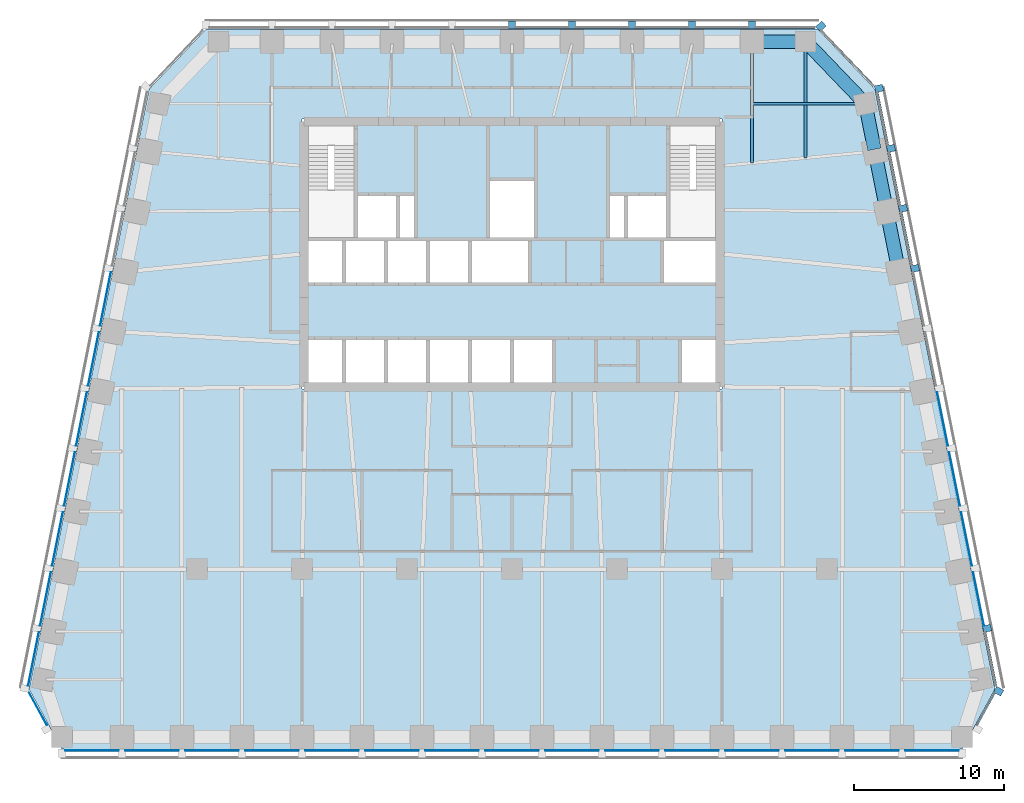
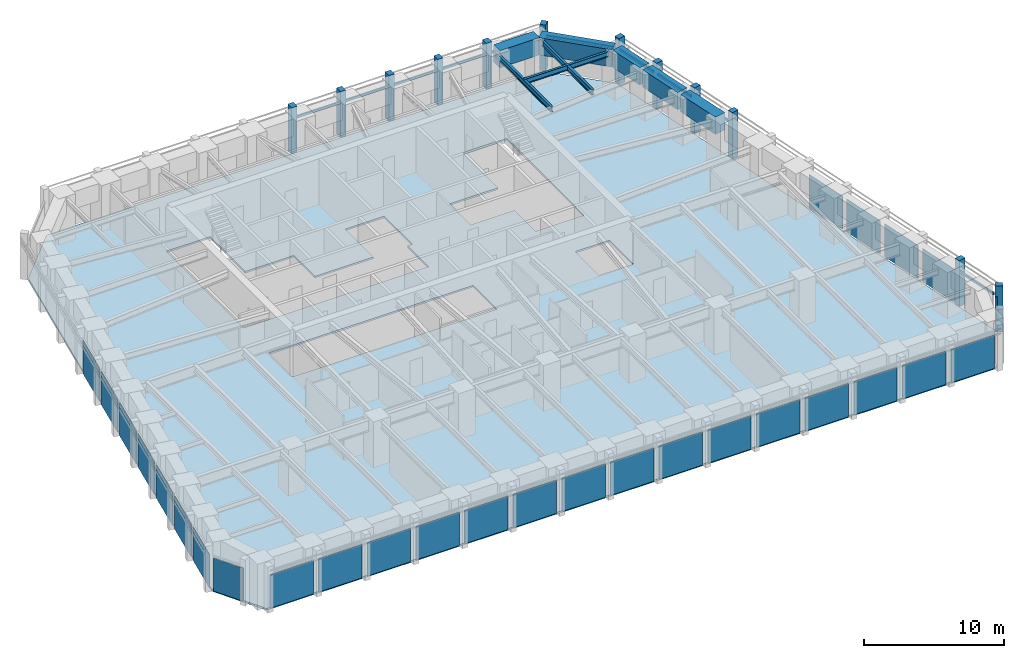
# One storey, part 4 of 10: 27 plates, 23 members, 8 beams, 1 slab, 7 elements without a shape of their own.
"""IFC4 building model written with IfcOpenShell, lengths in metres."""

from ifc_helpers import new_model, si_unit, direction, frame, origin, origin_2d, place, context, subcontext, project, spatial, polyline, rectangle, i_section, outline, extrude, material, layer, layer_set, material_profile, profile_set, type_object, element, aggregate, save


model = new_model("IFC4")

# Units and contexts
model_context = context("Model", 3, precision=1e-05, world=origin(), true_north=direction((0.0, 1.0)))
body_context = subcontext(model_context, "Body", "Model", "MODEL_VIEW")
ifc_project = project(units=[si_unit("LENGTHUNIT", "METRE"), si_unit("AREAUNIT", "SQUARE_METRE"), si_unit("VOLUMEUNIT", "CUBIC_METRE"), si_unit("PLANEANGLEUNIT", "RADIAN"), si_unit("MASSUNIT", "GRAM", prefix="KILO")], contexts=[model_context])

# Site, building, storey
site_placement = place(None, origin())
site = spatial("IfcSite", under=ifc_project, at=site_placement, CompositionType="ELEMENT")
building_placement = place(site_placement, origin())
building = spatial("IfcBuilding", under=site, at=building_placement, Name="Isbrekke Arena Tower", CompositionType="ELEMENT")
storey_placement = place(building_placement, frame((0.0, 0.0, 182.0)))
storey = spatial("IfcBuildingStorey", under=building, at=storey_placement, Name="L41", CompositionType="ELEMENT", Elevation=182.0)

# Beams
ifc_material_1 = material(Name="Steel S355", Category="steel")
ifc_material_profile_1 = material_profile(ifc_material_1, i_section(OverallWidth=0.18994140625, OverallDepth=0.449951171875, WebThickness=0.009521484375, FlangeThickness=0.0146484375, FilletRadius=0.02099609375, at=origin_2d()), Name="IPE 450")
ifc_profile_set_1 = profile_set([ifc_material_profile_1], Name="Steel S355")
beam_type_1 = type_object("IfcBeamType", Name="B2 IPE 450", PredefinedType="BEAM", material=ifc_profile_set_1)
beam_1_placement = place(storey_placement, frame((23.40283203125, 25.029296875, 3.625), z_axis=(-1.0, 0.0, 0.0), x_axis=(0.0, -1.0, 0.0)))
element("IfcBeam", 1, at=beam_1_placement, inside=storey, type_object=beam_type_1, Name="B2 beam E-E11 L41", PredefinedType="BEAM", context=body_context, shape_type="SweptSolid", body=[
    extrude(i_section(OverallWidth=0.18994140625, OverallDepth=0.449951171875, WebThickness=0.009521484375, FlangeThickness=0.0146484375, FilletRadius=0.02099609375, at=origin_2d()), origin(), (0.0, 0.0, 1.0), 7.40283203125),
])
ifc_material_2 = material(Name="Steel S355", Category="steel")
ifc_material_profile_2 = material_profile(ifc_material_2, i_section(OverallWidth=0.18994140625, OverallDepth=0.449951171875, WebThickness=0.009521484375, FlangeThickness=0.0146484375, FilletRadius=0.02099609375, at=origin_2d()), Name="IPE 450")
ifc_profile_set_2 = profile_set([ifc_material_profile_2], Name="Steel S355")
beam_type_2 = type_object("IfcBeamType", Name="B3 IPE 450", PredefinedType="BEAM", material=ifc_profile_set_2)
beam_2_placement = place(storey_placement, frame((19.574951171875, 29.02490234375, 3.625), z_axis=(0.0, -1.0, 0.0), x_axis=(1.0, 0.0, 0.0)))
element("IfcBeam", 2, at=beam_2_placement, inside=storey, type_object=beam_type_2, Name="B3 beam N-N01 L41", PredefinedType="BEAM", context=body_context, shape_type="SweptSolid", body=[
    extrude(i_section(OverallWidth=0.18994140625, OverallDepth=0.449951171875, WebThickness=0.009521484375, FlangeThickness=0.0146484375, FilletRadius=0.02099609375, at=origin_2d()), origin(), (0.0, 0.0, 1.0), 7.6103515625),
])
beam_3_placement = place(storey_placement, frame((16.0, 29.02490234375, 3.625), z_axis=(0.0, -1.0, 0.0), x_axis=(1.0, 0.0, 0.0)))
element("IfcBeam", 3, at=beam_3_placement, inside=storey, type_object=beam_type_2, Name="B3 beam N-N02 L41", PredefinedType="BEAM", context=body_context, shape_type="SweptSolid", body=[
    extrude(i_section(OverallWidth=0.18994140625, OverallDepth=0.449951171875, WebThickness=0.009521484375, FlangeThickness=0.0146484375, FilletRadius=0.02099609375, at=origin_2d()), origin(), (0.0, 0.0, 1.0), 7.949462890625),
])

# Curtain wall, member
ifc_material_3 = material(Name="Glazed aluminium curtain wall", Category="aluminium")
curtain_wall_type = type_object("IfcCurtainWallType", Name="CWH TOWER CURTAIN WALL HIGH ZONE", PredefinedType="USERDEFINED", material=ifc_material_3)
curtain_wall_1_placement = place(storey_placement, origin())
curtain_wall_1 = element("IfcCurtainWall", 4, at=curtain_wall_1_placement, inside=storey, type_object=curtain_wall_type, Name="CWH curtain wall L41-SE", ObjectType="TOWER CURTAIN WALL HIGH ZONE", PredefinedType="USERDEFINED")
ifc_material_4 = material(Name="Aluminium mullion, pale brick slip cladding", Category="masonry")
ifc_material_profile_3 = material_profile(ifc_material_4, rectangle(XDim=0.449951171875, YDim=0.550048828125, at=origin_2d()), Name="PIER 450X550")
ifc_profile_set_3 = profile_set([ifc_material_profile_3], Name="Aluminium mullion, pale brick slip cladding")
member_type_1 = type_object("IfcMemberType", Name="CWH-M PIER MULLION 450 x 550", PredefinedType="MULLION", material=ifc_profile_set_3)
member_1_placement = place(storey_placement, frame((32.44091796875, -14.132568359375, 0.0), z_axis=(0.0, 0.0, 1.0), x_axis=(0.481918749773, 0.876215908676, 0.0)))
member_1 = element("IfcMember", 5, at=member_1_placement, type_object=member_type_1, Name="CWH-M mullion 2", PredefinedType="MULLION", context=body_context, shape_type="SweptSolid", body=[
    extrude(rectangle(XDim=0.449951171875, YDim=0.550048828125, at=origin_2d()), origin(), (0.0, 0.0, 1.0), 4.0),
])

# Curtain wall, members
curtain_wall_2_placement = place(storey_placement, origin())
curtain_wall_2 = element("IfcCurtainWall", 6, at=curtain_wall_2_placement, inside=storey, type_object=curtain_wall_type, Name="CWH curtain wall L41-E", ObjectType="TOWER CURTAIN WALL HIGH ZONE", PredefinedType="USERDEFINED")
member_2_placement = place(storey_placement, frame((31.669677734375, -9.946044921875, 0.0), z_axis=(0.0, 0.0, 1.0), x_axis=(-0.196116135138, 0.980580675691, 0.0)))
member_2 = element("IfcMember", 7, at=member_2_placement, type_object=member_type_1, Name="CWH-M mullion 1", PredefinedType="MULLION", context=body_context, shape_type="SweptSolid", body=[
    extrude(rectangle(XDim=0.449951171875, YDim=0.550048828125, at=origin_2d()), origin(), (0.0, 0.0, 1.0), 4.0),
])
member_3_placement = place(storey_placement, frame((26.86962890625, 14.053955078125, 0.0), z_axis=(0.0, 0.0, 1.0), x_axis=(-0.196116135138, 0.980580675691, 0.0)))
member_3 = element("IfcMember", 8, at=member_3_placement, type_object=member_type_1, Name="CWH-M mullion 7", PredefinedType="MULLION", context=body_context, shape_type="SweptSolid", body=[
    extrude(rectangle(XDim=0.449951171875, YDim=0.550048828125, at=origin_2d()), origin(), (0.0, 0.0, 1.0), 4.0),
])
member_4_placement = place(storey_placement, frame((26.069580078125, 18.053955078125, 0.0), z_axis=(0.0, 0.0, 1.0), x_axis=(-0.196116135138, 0.980580675691, 0.0)))
member_4 = element("IfcMember", 9, at=member_4_placement, type_object=member_type_1, Name="CWH-M mullion 8", PredefinedType="MULLION", context=body_context, shape_type="SweptSolid", body=[
    extrude(rectangle(XDim=0.449951171875, YDim=0.550048828125, at=origin_2d()), origin(), (0.0, 0.0, 1.0), 4.0),
])
member_5_placement = place(storey_placement, frame((25.269775390625, 22.053955078125, 0.0), z_axis=(0.0, 0.0, 1.0), x_axis=(-0.196116135138, 0.980580675691, 0.0)))
member_5 = element("IfcMember", 10, at=member_5_placement, type_object=member_type_1, Name="CWH-M mullion 9", PredefinedType="MULLION", context=body_context, shape_type="SweptSolid", body=[
    extrude(rectangle(XDim=0.449951171875, YDim=0.550048828125, at=origin_2d()), origin(), (0.0, 0.0, 1.0), 4.0),
])
member_6_placement = place(storey_placement, frame((24.4697265625, 26.053955078125, 0.0), z_axis=(0.0, 0.0, 1.0), x_axis=(-0.196116135138, 0.980580675691, 0.0)))
member_6 = element("IfcMember", 11, at=member_6_placement, type_object=member_type_1, Name="CWH-M mullion 10", PredefinedType="MULLION", context=body_context, shape_type="SweptSolid", body=[
    extrude(rectangle(XDim=0.449951171875, YDim=0.550048828125, at=origin_2d()), origin(), (0.0, 0.0, 1.0), 4.0),
])

# Curtain wall, member
curtain_wall_3_placement = place(storey_placement, origin())
curtain_wall_3 = element("IfcCurtainWall", 12, at=curtain_wall_3_placement, inside=storey, type_object=curtain_wall_type, Name="CWH curtain wall L41-EN", ObjectType="TOWER CURTAIN WALL HIGH ZONE", PredefinedType="USERDEFINED")
member_7_placement = place(storey_placement, frame((20.599365234375, 30.189453125, 0.0), z_axis=(0.0, 0.0, 1.0), x_axis=(-0.68874946192, 0.72499943359, 0.0)))
member_7 = element("IfcMember", 13, at=member_7_placement, type_object=member_type_1, Name="CWH-M mullion 1", PredefinedType="MULLION", context=body_context, shape_type="SweptSolid", body=[
    extrude(rectangle(XDim=0.449951171875, YDim=0.550048828125, at=origin_2d()), origin(), (0.0, 0.0, 1.0), 4.0),
])

# Curtain wall, members
curtain_wall_4_placement = place(storey_placement, origin())
curtain_wall_4 = element("IfcCurtainWall", 14, at=curtain_wall_4_placement, inside=storey, type_object=curtain_wall_type, Name="CWH curtain wall L41-N", ObjectType="TOWER CURTAIN WALL HIGH ZONE", PredefinedType="USERDEFINED")
member_8_placement = place(storey_placement, frame((16.0, 30.27490234375, 0.0), z_axis=(0.0, 0.0, 1.0), x_axis=(-1.0, 0.0, 0.0)))
member_8 = element("IfcMember", 15, at=member_8_placement, type_object=member_type_1, Name="CWH-M mullion 1", PredefinedType="MULLION", context=body_context, shape_type="SweptSolid", body=[
    extrude(rectangle(XDim=0.449951171875, YDim=0.550048828125, at=origin_2d()), origin(), (0.0, 0.0, 1.0), 4.0),
])
member_9_placement = place(storey_placement, frame((12.0, 30.27490234375, 0.0), z_axis=(0.0, 0.0, 1.0), x_axis=(-1.0, 0.0, 0.0)))
member_9 = element("IfcMember", 16, at=member_9_placement, type_object=member_type_1, Name="CWH-M mullion 2", PredefinedType="MULLION", context=body_context, shape_type="SweptSolid", body=[
    extrude(rectangle(XDim=0.449951171875, YDim=0.550048828125, at=origin_2d()), origin(), (0.0, 0.0, 1.0), 4.0),
])
member_10_placement = place(storey_placement, frame((8.0, 30.27490234375, 0.0), z_axis=(0.0, 0.0, 1.0), x_axis=(-1.0, 0.0, 0.0)))
member_10 = element("IfcMember", 17, at=member_10_placement, type_object=member_type_1, Name="CWH-M mullion 3", PredefinedType="MULLION", context=body_context, shape_type="SweptSolid", body=[
    extrude(rectangle(XDim=0.449951171875, YDim=0.550048828125, at=origin_2d()), origin(), (0.0, 0.0, 1.0), 4.0),
])
member_11_placement = place(storey_placement, frame((4.0, 30.27490234375, 0.0), z_axis=(0.0, 0.0, 1.0), x_axis=(-1.0, 0.0, 0.0)))
member_11 = element("IfcMember", 18, at=member_11_placement, type_object=member_type_1, Name="CWH-M mullion 4", PredefinedType="MULLION", context=body_context, shape_type="SweptSolid", body=[
    extrude(rectangle(XDim=0.449951171875, YDim=0.550048828125, at=origin_2d()), origin(), (0.0, 0.0, 1.0), 4.0),
])
member_12_placement = place(storey_placement, frame((0.0, 30.27490234375, 0.0), z_axis=(0.0, 0.0, 1.0), x_axis=(-1.0, 0.0, 0.0)))
member_12 = element("IfcMember", 19, at=member_12_placement, type_object=member_type_1, Name="CWH-M mullion 5", PredefinedType="MULLION", context=body_context, shape_type="SweptSolid", body=[
    extrude(rectangle(XDim=0.449951171875, YDim=0.550048828125, at=origin_2d()), origin(), (0.0, 0.0, 1.0), 4.0),
])

# Member
ifc_material_5 = material(Name="Aluminium transom", Category="aluminium")
ifc_material_profile_4 = material_profile(ifc_material_5, rectangle(XDim=0.1201171875, YDim=0.199951171875, at=origin_2d()), Name="TRANSOM 120X200")
ifc_profile_set_4 = profile_set([ifc_material_profile_4], Name="Aluminium transom")
member_type_2 = type_object("IfcMemberType", Name="CWH-T TRANSOM 120 x 200", PredefinedType="USERDEFINED", material=ifc_profile_set_4)
member_13_placement = place(storey_placement, frame((31.002197265625, -16.38525390625, 3.0), z_axis=(0.481937937062, 0.876205355393, 0.0), x_axis=(-0.876205355393, 0.481937937062, 0.0)))
member_13 = element("IfcMember", 20, at=member_13_placement, type_object=member_type_2, Name="CWH-T transom 1", ObjectType="TRANSOM", PredefinedType="USERDEFINED", context=body_context, shape_type="SweptSolid", body=[
    extrude(rectangle(XDim=0.1201171875, YDim=0.199951171875, at=origin_2d()), origin(), (0.0, 0.0, 1.0), 2.442138671875),
])

aggregate(curtain_wall_1, [member_1, member_13])

member_14_placement = place(storey_placement, frame((32.25390625, -13.759765625, 3.0), z_axis=(-0.196090262229, 0.980585849918, 0.0), x_axis=(-0.980585849918, -0.196090262229, 0.0)))
member_14 = element("IfcMember", 21, at=member_14_placement, type_object=member_type_2, Name="CWH-T transom 1", ObjectType="TRANSOM", PredefinedType="USERDEFINED", context=body_context, shape_type="SweptSolid", body=[
    extrude(rectangle(XDim=0.1201171875, YDim=0.199951171875, at=origin_2d()), origin(), (0.0, 0.0, 1.0), 3.62939453125),
])

member_15_placement = place(storey_placement, frame((26.654052734375, 14.240234375, 3.0), z_axis=(-0.196154943734, 0.980572913173, 0.0), x_axis=(-0.980572913173, -0.196154943734, 0.0)))
member_15 = element("IfcMember", 22, at=member_15_placement, type_object=member_type_2, Name="CWH-T transom 8", ObjectType="TRANSOM", PredefinedType="USERDEFINED", context=body_context, shape_type="SweptSolid", body=[
    extrude(rectangle(XDim=0.1201171875, YDim=0.199951171875, at=origin_2d()), origin(), (0.0, 0.0, 1.0), 3.62939453125),
])

member_16_placement = place(storey_placement, frame((25.85400390625, 18.240234375, 3.0), z_axis=(-0.196154943734, 0.980572913173, 0.0), x_axis=(-0.980572913173, -0.196154943734, 0.0)))
member_16 = element("IfcMember", 23, at=member_16_placement, type_object=member_type_2, Name="CWH-T transom 9", ObjectType="TRANSOM", PredefinedType="USERDEFINED", context=body_context, shape_type="SweptSolid", body=[
    extrude(rectangle(XDim=0.1201171875, YDim=0.199951171875, at=origin_2d()), origin(), (0.0, 0.0, 1.0), 3.62939453125),
])

member_17_placement = place(storey_placement, frame((25.053955078125, 22.240234375, 3.0), z_axis=(-0.196090262229, 0.980585849918, 0.0), x_axis=(-0.980585849918, -0.196090262229, 0.0)))
member_17 = element("IfcMember", 24, at=member_17_placement, type_object=member_type_2, Name="CWH-T transom 10", ObjectType="TRANSOM", PredefinedType="USERDEFINED", context=body_context, shape_type="SweptSolid", body=[
    extrude(rectangle(XDim=0.1201171875, YDim=0.199951171875, at=origin_2d()), origin(), (0.0, 0.0, 1.0), 3.62939453125),
])

member_18_placement = place(storey_placement, frame((24.117431640625, 26.23193359375, 3.0), z_axis=(-0.688734266994, 0.725013868466, 0.0), x_axis=(-0.725013868466, -0.688734266994, 0.0)))
member_18 = element("IfcMember", 25, at=member_18_placement, type_object=member_type_2, Name="CWH-T transom 1", ObjectType="TRANSOM", PredefinedType="USERDEFINED", context=body_context, shape_type="SweptSolid", body=[
    extrude(rectangle(XDim=0.1201171875, YDim=0.199951171875, at=origin_2d()), origin(), (0.0, 0.0, 1.0), 5.067138671875),
])

aggregate(curtain_wall_3, [member_7, member_18])

member_19_placement = place(storey_placement, frame((20.175048828125, 30.10009765625, 3.0), z_axis=(-1.0, 0.0, 0.0), x_axis=(0.0, -1.0, 0.0)))
member_19 = element("IfcMember", 26, at=member_19_placement, type_object=member_type_2, Name="CWH-T transom 1", ObjectType="TRANSOM", PredefinedType="USERDEFINED", context=body_context, shape_type="SweptSolid", body=[
    extrude(rectangle(XDim=0.1201171875, YDim=0.199951171875, at=origin_2d()), origin(), (0.0, 0.0, 1.0), 3.949951171875),
])

member_20_placement = place(storey_placement, frame((15.77490234375, 30.10009765625, 3.0), z_axis=(-1.0, 0.0, 0.0), x_axis=(0.0, -1.0, 0.0)))
member_20 = element("IfcMember", 27, at=member_20_placement, type_object=member_type_2, Name="CWH-T transom 2", ObjectType="TRANSOM", PredefinedType="USERDEFINED", context=body_context, shape_type="SweptSolid", body=[
    extrude(rectangle(XDim=0.1201171875, YDim=0.199951171875, at=origin_2d()), origin(), (0.0, 0.0, 1.0), 3.5498046875),
])

member_21_placement = place(storey_placement, frame((11.77490234375, 30.10009765625, 3.0), z_axis=(-1.0, 0.0, 0.0), x_axis=(0.0, -1.0, 0.0)))
member_21 = element("IfcMember", 28, at=member_21_placement, type_object=member_type_2, Name="CWH-T transom 3", ObjectType="TRANSOM", PredefinedType="USERDEFINED", context=body_context, shape_type="SweptSolid", body=[
    extrude(rectangle(XDim=0.1201171875, YDim=0.199951171875, at=origin_2d()), origin(), (0.0, 0.0, 1.0), 3.5498046875),
])

member_22_placement = place(storey_placement, frame((7.77490234375, 30.10009765625, 3.0), z_axis=(-1.0, 0.0, 0.0), x_axis=(0.0, -1.0, 0.0)))
member_22 = element("IfcMember", 29, at=member_22_placement, type_object=member_type_2, Name="CWH-T transom 4", ObjectType="TRANSOM", PredefinedType="USERDEFINED", context=body_context, shape_type="SweptSolid", body=[
    extrude(rectangle(XDim=0.1201171875, YDim=0.199951171875, at=origin_2d()), origin(), (0.0, 0.0, 1.0), 3.5498046875),
])

member_23_placement = place(storey_placement, frame((3.77490234375, 30.10009765625, 3.0), z_axis=(-1.0, 0.0, 0.0), x_axis=(0.0, -1.0, 0.0)))
member_23 = element("IfcMember", 30, at=member_23_placement, type_object=member_type_2, Name="CWH-T transom 5", ObjectType="TRANSOM", PredefinedType="USERDEFINED", context=body_context, shape_type="SweptSolid", body=[
    extrude(rectangle(XDim=0.1201171875, YDim=0.199951171875, at=origin_2d()), origin(), (0.0, 0.0, 1.0), 3.5498046875),
])

aggregate(curtain_wall_4, [member_8, member_9, member_10, member_11, member_12, member_19, member_20, member_21, member_22, member_23])

# Beams
ifc_material_6 = material(Name="Concrete B65 (C65/80)", Category="concrete")
ifc_material_profile_5 = material_profile(ifc_material_6, rectangle(XDim=0.89990234375, YDim=1.5, at=origin_2d()), Name="RC 900x1500")
ifc_profile_set_5 = profile_set([ifc_material_profile_5], Name="Concrete B65 (C65/80)")
beam_type_3 = type_object("IfcBeamType", Name="SB3 RC 900 x 1500", PredefinedType="SPANDREL", material=ifc_profile_set_5)
for number, where, z_axis, x_axis, name in (
    (31, (25.76171875, 13.9853515625, 3.25), (-0.196128558387, 0.980578190959, 0.0), (-0.980578190959, -0.196128558387, 0.0), "SB3 spandrel E08-E09 L41"),
    (32, (24.961669921875, 17.9853515625, 3.25), (-0.196128558387, 0.980578190959, 0.0), (-0.980578190959, -0.196128558387, 0.0), "SB3 spandrel E09-E10 L41"),
):
    element("IfcBeam", number, at=place(storey_placement, frame(where, z_axis=z_axis, x_axis=x_axis)), inside=storey, type_object=beam_type_3, Name=name, PredefinedType="SPANDREL", context=body_context, shape_type="SweptSolid", body=[
        extrude(rectangle(XDim=0.89990234375, YDim=1.5, at=origin_2d()), origin(), (0.0, 0.0, 1.0), 3.779296875),
    ])
beam_4_placement = place(storey_placement, frame((24.16162109375, 21.9853515625, 3.25), z_axis=(-0.196116135138, 0.980580675691, 0.0), x_axis=(-0.980580675691, -0.196116135138, 0.0)))
element("IfcBeam", 33, at=beam_4_placement, inside=storey, type_object=beam_type_3, Name="SB3 spandrel E10-E11 L41", PredefinedType="SPANDREL", context=body_context, shape_type="SweptSolid", body=[
    extrude(rectangle(XDim=0.89990234375, YDim=1.5, at=origin_2d()), origin(), (0.0, 0.0, 1.0), 2.9541015625),
])
beam_5_placement = place(storey_placement, frame((23.448974609375, 25.137451171875, 3.25), z_axis=(-0.692339547635, 0.721571861134, 0.0), x_axis=(-0.721571861134, -0.692339547635, 0.0)))
element("IfcBeam", 34, at=beam_5_placement, inside=storey, type_object=beam_type_3, Name="SB3 spandrel E11-N01 L41", PredefinedType="SPANDREL", context=body_context, shape_type="SweptSolid", body=[
    extrude(rectangle(XDim=0.89990234375, YDim=1.5, at=origin_2d()), origin(), (0.0, 0.0, 1.0), 5.4453125),
])
beam_6_placement = place(storey_placement, frame((19.425048828125, 29.175048828125, 3.25), z_axis=(-1.0, 0.0, 0.0), x_axis=(0.0, -1.0, 0.0)))
element("IfcBeam", 35, at=beam_6_placement, inside=storey, type_object=beam_type_3, Name="SB3 spandrel N01-N02 L41", PredefinedType="SPANDREL", context=body_context, shape_type="SweptSolid", body=[
    extrude(rectangle(XDim=0.89990234375, YDim=1.5, at=origin_2d()), origin(), (0.0, 0.0, 1.0), 3.275146484375),
])

# Curtain wall, plates
curtain_wall_5_placement = place(storey_placement, origin())
curtain_wall_5 = element("IfcCurtainWall", 36, at=curtain_wall_5_placement, inside=storey, type_object=curtain_wall_type, Name="CWH curtain wall L41-S", ObjectType="TOWER CURTAIN WALL HIGH ZONE", PredefinedType="USERDEFINED")
ifc_material_7 = material(Name="Triple-glazed clear glass unit", Category="glass")
ifc_layer_1 = layer(ifc_material_7, 0.031982421875)
ifc_layer_set_1 = layer_set([ifc_layer_1], Name="CWH-P VISION PANEL")
plate_type = type_object("IfcPlateType", Name="CWH-P VISION PANEL", PredefinedType="CURTAIN_PANEL", material=ifc_layer_set_1)
plate_1_placement = place(storey_placement, frame((-28.0, -18.10009765625, 0.02001953125), z_axis=(0.0, 0.0, 1.0), x_axis=(1.0, 0.0, 0.0)))
plate_1 = element("IfcPlate", 37, at=plate_1_placement, type_object=plate_type, Name="CWH-P panel 1", PredefinedType="CURTAIN_PANEL", context=body_context, shape_type="SweptSolid", body=[
    extrude(rectangle(XDim=3.550048828125, YDim=0.031982421875, at=origin_2d()), origin(), (0.0, 0.0, 1.0), 2.8798828125),
])
plate_2_placement = place(storey_placement, frame((-24.0, -18.10009765625, 0.02001953125), z_axis=(0.0, 0.0, 1.0), x_axis=(1.0, 0.0, 0.0)))
plate_2 = element("IfcPlate", 38, at=plate_2_placement, type_object=plate_type, Name="CWH-P panel 2", PredefinedType="CURTAIN_PANEL", context=body_context, shape_type="SweptSolid", body=[
    extrude(rectangle(XDim=3.550048828125, YDim=0.031982421875, at=origin_2d()), origin(), (0.0, 0.0, 1.0), 2.8798828125),
])
plate_3_placement = place(storey_placement, frame((-20.0, -18.10009765625, 0.02001953125), z_axis=(0.0, 0.0, 1.0), x_axis=(1.0, 0.0, 0.0)))
plate_3 = element("IfcPlate", 39, at=plate_3_placement, type_object=plate_type, Name="CWH-P panel 3", PredefinedType="CURTAIN_PANEL", context=body_context, shape_type="SweptSolid", body=[
    extrude(rectangle(XDim=3.550048828125, YDim=0.031982421875, at=origin_2d()), origin(), (0.0, 0.0, 1.0), 2.8798828125),
])
plate_4_placement = place(storey_placement, frame((-16.0, -18.10009765625, 0.02001953125), z_axis=(0.0, 0.0, 1.0), x_axis=(1.0, 0.0, 0.0)))
plate_4 = element("IfcPlate", 40, at=plate_4_placement, type_object=plate_type, Name="CWH-P panel 4", PredefinedType="CURTAIN_PANEL", context=body_context, shape_type="SweptSolid", body=[
    extrude(rectangle(XDim=3.550048828125, YDim=0.031982421875, at=origin_2d()), origin(), (0.0, 0.0, 1.0), 2.8798828125),
])
plate_5_placement = place(storey_placement, frame((-12.0, -18.10009765625, 0.02001953125), z_axis=(0.0, 0.0, 1.0), x_axis=(1.0, 0.0, 0.0)))
plate_5 = element("IfcPlate", 41, at=plate_5_placement, type_object=plate_type, Name="CWH-P panel 5", PredefinedType="CURTAIN_PANEL", context=body_context, shape_type="SweptSolid", body=[
    extrude(rectangle(XDim=3.550048828125, YDim=0.031982421875, at=origin_2d()), origin(), (0.0, 0.0, 1.0), 2.8798828125),
])
plate_6_placement = place(storey_placement, frame((-8.0, -18.10009765625, 0.02001953125), z_axis=(0.0, 0.0, 1.0), x_axis=(1.0, 0.0, 0.0)))
plate_6 = element("IfcPlate", 42, at=plate_6_placement, type_object=plate_type, Name="CWH-P panel 6", PredefinedType="CURTAIN_PANEL", context=body_context, shape_type="SweptSolid", body=[
    extrude(rectangle(XDim=3.550048828125, YDim=0.031982421875, at=origin_2d()), origin(), (0.0, 0.0, 1.0), 2.8798828125),
])
plate_7_placement = place(storey_placement, frame((-4.0, -18.10009765625, 0.02001953125), z_axis=(0.0, 0.0, 1.0), x_axis=(1.0, 0.0, 0.0)))
plate_7 = element("IfcPlate", 43, at=plate_7_placement, type_object=plate_type, Name="CWH-P panel 7", PredefinedType="CURTAIN_PANEL", context=body_context, shape_type="SweptSolid", body=[
    extrude(rectangle(XDim=3.550048828125, YDim=0.031982421875, at=origin_2d()), origin(), (0.0, 0.0, 1.0), 2.8798828125),
])
plate_8_placement = place(storey_placement, frame((0.0, -18.10009765625, 0.02001953125), z_axis=(0.0, 0.0, 1.0), x_axis=(1.0, 0.0, 0.0)))
plate_8 = element("IfcPlate", 44, at=plate_8_placement, type_object=plate_type, Name="CWH-P panel 8", PredefinedType="CURTAIN_PANEL", context=body_context, shape_type="SweptSolid", body=[
    extrude(rectangle(XDim=3.550048828125, YDim=0.031982421875, at=origin_2d()), origin(), (0.0, 0.0, 1.0), 2.8798828125),
])
plate_9_placement = place(storey_placement, frame((4.0, -18.10009765625, 0.02001953125), z_axis=(0.0, 0.0, 1.0), x_axis=(1.0, 0.0, 0.0)))
plate_9 = element("IfcPlate", 45, at=plate_9_placement, type_object=plate_type, Name="CWH-P panel 9", PredefinedType="CURTAIN_PANEL", context=body_context, shape_type="SweptSolid", body=[
    extrude(rectangle(XDim=3.550048828125, YDim=0.031982421875, at=origin_2d()), origin(), (0.0, 0.0, 1.0), 2.8798828125),
])
plate_10_placement = place(storey_placement, frame((8.0, -18.10009765625, 0.02001953125), z_axis=(0.0, 0.0, 1.0), x_axis=(1.0, 0.0, 0.0)))
plate_10 = element("IfcPlate", 46, at=plate_10_placement, type_object=plate_type, Name="CWH-P panel 10", PredefinedType="CURTAIN_PANEL", context=body_context, shape_type="SweptSolid", body=[
    extrude(rectangle(XDim=3.550048828125, YDim=0.031982421875, at=origin_2d()), origin(), (0.0, 0.0, 1.0), 2.8798828125),
])
plate_11_placement = place(storey_placement, frame((12.0, -18.10009765625, 0.02001953125), z_axis=(0.0, 0.0, 1.0), x_axis=(1.0, 0.0, 0.0)))
plate_11 = element("IfcPlate", 47, at=plate_11_placement, type_object=plate_type, Name="CWH-P panel 11", PredefinedType="CURTAIN_PANEL", context=body_context, shape_type="SweptSolid", body=[
    extrude(rectangle(XDim=3.550048828125, YDim=0.031982421875, at=origin_2d()), origin(), (0.0, 0.0, 1.0), 2.8798828125),
])
plate_12_placement = place(storey_placement, frame((16.0, -18.10009765625, 0.02001953125), z_axis=(0.0, 0.0, 1.0), x_axis=(1.0, 0.0, 0.0)))
plate_12 = element("IfcPlate", 48, at=plate_12_placement, type_object=plate_type, Name="CWH-P panel 12", PredefinedType="CURTAIN_PANEL", context=body_context, shape_type="SweptSolid", body=[
    extrude(rectangle(XDim=3.550048828125, YDim=0.031982421875, at=origin_2d()), origin(), (0.0, 0.0, 1.0), 2.8798828125),
])
plate_13_placement = place(storey_placement, frame((20.0, -18.10009765625, 0.02001953125), z_axis=(0.0, 0.0, 1.0), x_axis=(1.0, 0.0, 0.0)))
plate_13 = element("IfcPlate", 49, at=plate_13_placement, type_object=plate_type, Name="CWH-P panel 13", PredefinedType="CURTAIN_PANEL", context=body_context, shape_type="SweptSolid", body=[
    extrude(rectangle(XDim=3.550048828125, YDim=0.031982421875, at=origin_2d()), origin(), (0.0, 0.0, 1.0), 2.8798828125),
])
plate_14_placement = place(storey_placement, frame((24.0, -18.10009765625, 0.02001953125), z_axis=(0.0, 0.0, 1.0), x_axis=(1.0, 0.0, 0.0)))
plate_14 = element("IfcPlate", 50, at=plate_14_placement, type_object=plate_type, Name="CWH-P panel 14", PredefinedType="CURTAIN_PANEL", context=body_context, shape_type="SweptSolid", body=[
    extrude(rectangle(XDim=3.550048828125, YDim=0.031982421875, at=origin_2d()), origin(), (0.0, 0.0, 1.0), 2.8798828125),
])
plate_15_placement = place(storey_placement, frame((28.0, -18.10009765625, 0.02001953125), z_axis=(0.0, 0.0, 1.0), x_axis=(1.0, 0.0, 0.0)))
plate_15 = element("IfcPlate", 51, at=plate_15_placement, type_object=plate_type, Name="CWH-P panel 15", PredefinedType="CURTAIN_PANEL", context=body_context, shape_type="SweptSolid", body=[
    extrude(rectangle(XDim=3.550048828125, YDim=0.031982421875, at=origin_2d()), origin(), (0.0, 0.0, 1.0), 2.8798828125),
])
aggregate(curtain_wall_5, [plate_1, plate_2, plate_3, plate_4, plate_5, plate_6, plate_7, plate_8, plate_9, plate_10, plate_11, plate_12, plate_13, plate_14, plate_15])

# Plate
plate_16_placement = place(storey_placement, frame((31.09814453125, -7.98046875, 0.02001953125), z_axis=(0.0, 0.0, 1.0), x_axis=(-0.196116135138, 0.980580675691, 0.0)))
plate_16 = element("IfcPlate", 52, at=plate_16_placement, type_object=plate_type, Name="CWH-P panel 2", PredefinedType="CURTAIN_PANEL", context=body_context, shape_type="SweptSolid", body=[
    extrude(rectangle(XDim=3.629150390625, YDim=0.031982421875, at=origin_2d()), origin(), (0.0, 0.0, 1.0), 2.8798828125),
])

plate_17_placement = place(storey_placement, frame((30.298095703125, -3.98046875, 0.02001953125), z_axis=(0.0, 0.0, 1.0), x_axis=(-0.196116135138, 0.980580675691, 0.0)))
plate_17 = element("IfcPlate", 53, at=plate_17_placement, type_object=plate_type, Name="CWH-P panel 3", PredefinedType="CURTAIN_PANEL", context=body_context, shape_type="SweptSolid", body=[
    extrude(rectangle(XDim=3.629150390625, YDim=0.031982421875, at=origin_2d()), origin(), (0.0, 0.0, 1.0), 2.8798828125),
])

plate_18_placement = place(storey_placement, frame((29.498046875, 0.01953125, 0.02001953125), z_axis=(0.0, 0.0, 1.0), x_axis=(-0.196116135138, 0.980580675691, 0.0)))
plate_18 = element("IfcPlate", 54, at=plate_18_placement, type_object=plate_type, Name="CWH-P panel 4", PredefinedType="CURTAIN_PANEL", context=body_context, shape_type="SweptSolid", body=[
    extrude(rectangle(XDim=3.629150390625, YDim=0.031982421875, at=origin_2d()), origin(), (0.0, 0.0, 1.0), 2.8798828125),
])

plate_19_placement = place(storey_placement, frame((28.697998046875, 4.01953125, 0.02001953125), z_axis=(0.0, 0.0, 1.0), x_axis=(-0.196116135138, 0.980580675691, 0.0)))
plate_19 = element("IfcPlate", 55, at=plate_19_placement, type_object=plate_type, Name="CWH-P panel 5", PredefinedType="CURTAIN_PANEL", context=body_context, shape_type="SweptSolid", body=[
    extrude(rectangle(XDim=3.629150390625, YDim=0.031982421875, at=origin_2d()), origin(), (0.0, 0.0, 1.0), 2.8798828125),
])

aggregate(curtain_wall_2, [member_2, member_3, member_4, member_5, member_6, member_14, plate_16, plate_17, plate_18, plate_19, member_15, member_16, member_17])

# Curtain wall, plates
curtain_wall_6_placement = place(storey_placement, origin())
curtain_wall_6 = element("IfcCurtainWall", 56, at=curtain_wall_6_placement, inside=storey, type_object=curtain_wall_type, Name="CWH curtain wall L41-W", ObjectType="TOWER CURTAIN WALL HIGH ZONE", PredefinedType="USERDEFINED")
plate_20_placement = place(storey_placement, frame((-27.09814453125, 12.01953125, 0.02001953125), z_axis=(0.0, 0.0, 1.0), x_axis=(-0.196116135138, -0.980580675691, 0.0)))
plate_20 = element("IfcPlate", 57, at=plate_20_placement, type_object=plate_type, Name="CWH-P panel 4", PredefinedType="CURTAIN_PANEL", context=body_context, shape_type="SweptSolid", body=[
    extrude(rectangle(XDim=3.629150390625, YDim=0.031982421875, at=origin_2d()), origin(), (0.0, 0.0, 1.0), 2.8798828125),
])
plate_21_placement = place(storey_placement, frame((-27.89794921875, 8.01953125, 0.02001953125), z_axis=(0.0, 0.0, 1.0), x_axis=(-0.196116135138, -0.980580675691, 0.0)))
plate_21 = element("IfcPlate", 58, at=plate_21_placement, type_object=plate_type, Name="CWH-P panel 5", PredefinedType="CURTAIN_PANEL", context=body_context, shape_type="SweptSolid", body=[
    extrude(rectangle(XDim=3.629150390625, YDim=0.031982421875, at=origin_2d()), origin(), (0.0, 0.0, 1.0), 2.8798828125),
])
plate_22_placement = place(storey_placement, frame((-28.697998046875, 4.01953125, 0.02001953125), z_axis=(0.0, 0.0, 1.0), x_axis=(-0.196116135138, -0.980580675691, 0.0)))
plate_22 = element("IfcPlate", 59, at=plate_22_placement, type_object=plate_type, Name="CWH-P panel 6", PredefinedType="CURTAIN_PANEL", context=body_context, shape_type="SweptSolid", body=[
    extrude(rectangle(XDim=3.629150390625, YDim=0.031982421875, at=origin_2d()), origin(), (0.0, 0.0, 1.0), 2.8798828125),
])
plate_23_placement = place(storey_placement, frame((-29.498046875, 0.01953125, 0.02001953125), z_axis=(0.0, 0.0, 1.0), x_axis=(-0.196116135138, -0.980580675691, 0.0)))
plate_23 = element("IfcPlate", 60, at=plate_23_placement, type_object=plate_type, Name="CWH-P panel 7", PredefinedType="CURTAIN_PANEL", context=body_context, shape_type="SweptSolid", body=[
    extrude(rectangle(XDim=3.629150390625, YDim=0.031982421875, at=origin_2d()), origin(), (0.0, 0.0, 1.0), 2.8798828125),
])
plate_24_placement = place(storey_placement, frame((-30.298095703125, -3.98046875, 0.02001953125), z_axis=(0.0, 0.0, 1.0), x_axis=(-0.196116135138, -0.980580675691, 0.0)))
plate_24 = element("IfcPlate", 61, at=plate_24_placement, type_object=plate_type, Name="CWH-P panel 8", PredefinedType="CURTAIN_PANEL", context=body_context, shape_type="SweptSolid", body=[
    extrude(rectangle(XDim=3.629150390625, YDim=0.031982421875, at=origin_2d()), origin(), (0.0, 0.0, 1.0), 2.8798828125),
])
plate_25_placement = place(storey_placement, frame((-31.09814453125, -7.98046875, 0.02001953125), z_axis=(0.0, 0.0, 1.0), x_axis=(-0.196116135138, -0.980580675691, 0.0)))
plate_25 = element("IfcPlate", 62, at=plate_25_placement, type_object=plate_type, Name="CWH-P panel 9", PredefinedType="CURTAIN_PANEL", context=body_context, shape_type="SweptSolid", body=[
    extrude(rectangle(XDim=3.629150390625, YDim=0.031982421875, at=origin_2d()), origin(), (0.0, 0.0, 1.0), 2.8798828125),
])
plate_26_placement = place(storey_placement, frame((-31.89794921875, -11.98046875, 0.02001953125), z_axis=(0.0, 0.0, 1.0), x_axis=(-0.196116135138, -0.980580675691, 0.0)))
plate_26 = element("IfcPlate", 63, at=plate_26_placement, type_object=plate_type, Name="CWH-P panel 10", PredefinedType="CURTAIN_PANEL", context=body_context, shape_type="SweptSolid", body=[
    extrude(rectangle(XDim=3.629150390625, YDim=0.031982421875, at=origin_2d()), origin(), (0.0, 0.0, 1.0), 2.8798828125),
])
aggregate(curtain_wall_6, [plate_20, plate_21, plate_22, plate_23, plate_24, plate_25, plate_26])

# Curtain wall, plate
curtain_wall_7_placement = place(storey_placement, origin())
curtain_wall_7 = element("IfcCurtainWall", 64, at=curtain_wall_7_placement, inside=storey, type_object=curtain_wall_type, Name="CWH curtain wall L41-WS", ObjectType="TOWER CURTAIN WALL HIGH ZONE", PredefinedType="USERDEFINED")
plate_27_placement = place(storey_placement, frame((-31.59033203125, -15.31591796875, 0.02001953125), z_axis=(0.0, 0.0, 1.0), x_axis=(0.481918749773, -0.876215908676, 0.0)))
plate_27 = element("IfcPlate", 65, at=plate_27_placement, type_object=plate_type, Name="CWH-P panel 1", PredefinedType="CURTAIN_PANEL", context=body_context, shape_type="SweptSolid", body=[
    extrude(rectangle(XDim=2.443603515625, YDim=0.031982421875, at=origin_2d()), origin(), (0.0, 0.0, 1.0), 2.8798828125),
])
aggregate(curtain_wall_7, [plate_27])

# Slab
ifc_material_8 = material(Name="Concrete B35 (C35/45)", Category="concrete")
ifc_layer_2 = layer(ifc_material_8, 0.14990234375)
ifc_layer_set_2 = layer_set([ifc_layer_2], Name="FS1 COMPOSITE FLOOR 150")
slab_type = type_object("IfcSlabType", Name="FS1 COMPOSITE FLOOR 150", PredefinedType="FLOOR", material=ifc_layer_set_2)
slab_placement = place(storey_placement, frame((0.0, 0.0, -0.14990234375)))
element("IfcSlab", 66, at=slab_placement, inside=storey, type_object=slab_type, Name="FS1 floor slab L41", PredefinedType="FLOOR", context=body_context, shape_type="SweptSolid", body=[
    extrude(outline(polyline([(-30.0, -18.0), (30.0, -18.0), (32.199951171875, -14.0), (24.199951171875, 26.0), (20.39990234375, 30.0), (-20.39990234375, 30.0), (-24.199951171875, 26.0), (-32.199951171875, -14.0), (-30.0, -18.0)]), holes=[polyline([(2.800048828125, 9.39990234375), (2.800048828125, 6.0), (-14.0, 6.0), (-14.0, 9.39990234375), (2.800048828125, 9.39990234375)]), polyline([(11.199951171875, 6.0), (11.199951171875, 9.39990234375), (14.0, 9.39990234375), (14.0, 6.0), (11.199951171875, 6.0)]), polyline([(-14.0, 13.0), (-14.0, 24.0), (-10.39990234375, 24.0), (-10.39990234375, 19.0), (-6.39990234375, 19.0), (-6.39990234375, 16.0), (-1.60009765625, 16.0), (-1.60009765625, 20.0), (1.60009765625, 20.0), (1.60009765625, 16.0), (1.199951171875, 16.0), (1.199951171875, 13.0), (-14.0, 13.0)]), polyline([(10.0, 13.0), (10.0, 16.0), (6.39990234375, 16.0), (6.39990234375, 19.0), (10.39990234375, 19.0), (10.39990234375, 24.0), (14.0, 24.0), (14.0, 13.0), (10.0, 13.0)])]), origin(), (0.0, 0.0, 1.0), 0.14990234375),
])

save(model, "model.ifc")
